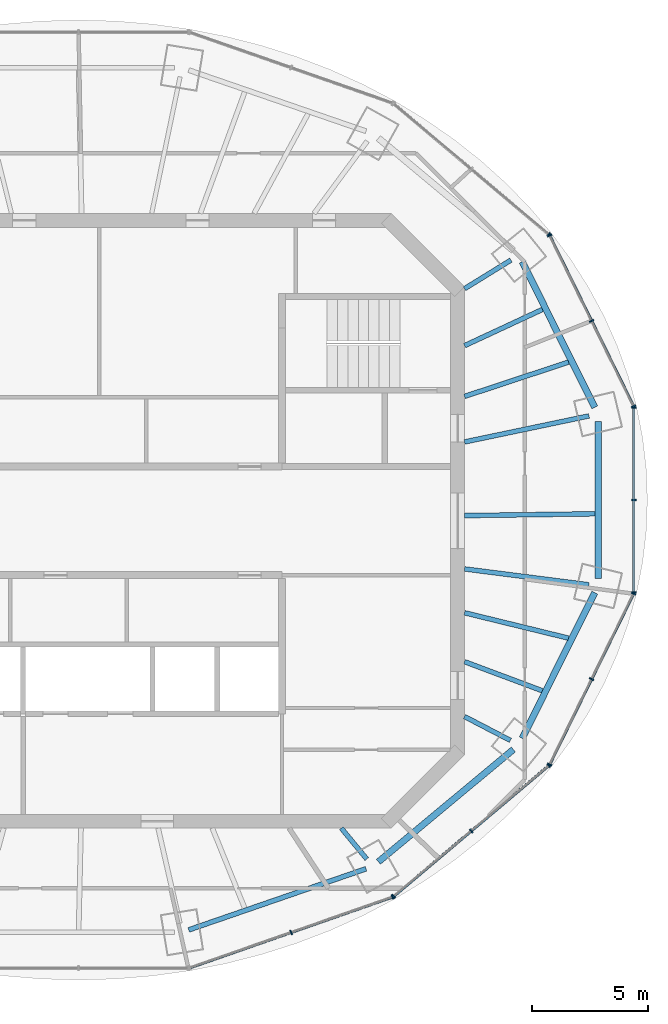
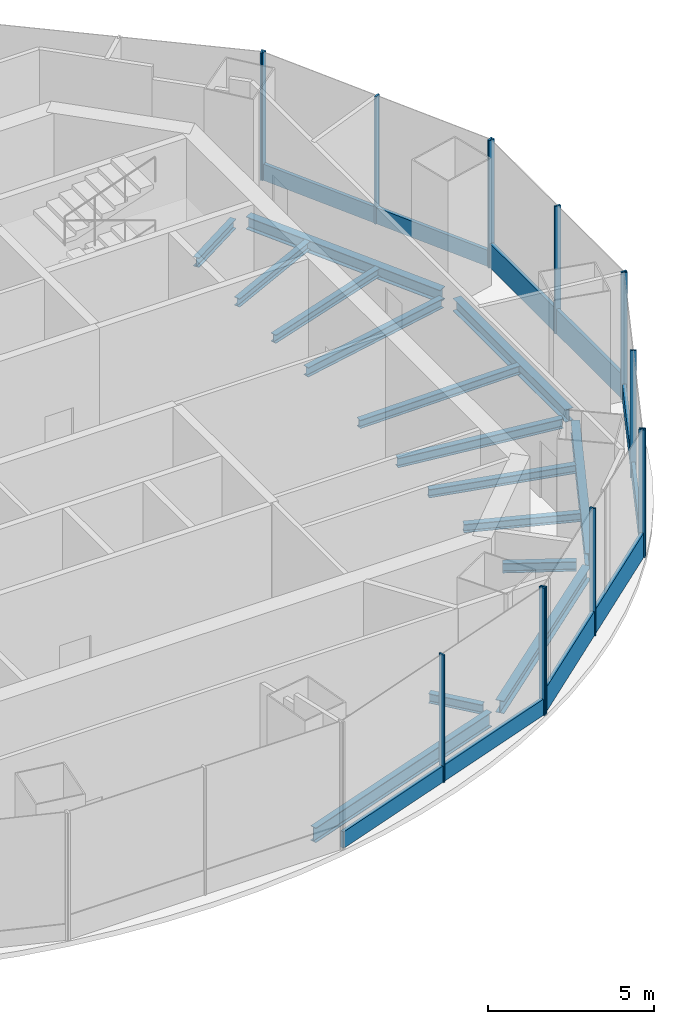
# One storey, part 4 of 11: 20 members, 15 beams, 6 elements without a shape of their own.
"""IFC4 building model written with IfcOpenShell, lengths in metres."""

from ifc_helpers import new_model, si_unit, direction, frame, origin, origin_2d, place, context, subcontext, project, spatial, rectangle, i_section, extrude, material, material_profile, profile_set, type_object, element, aggregate, save


model = new_model("IFC4")

# Units and contexts
model_context = context("Model", 3, precision=1e-05, world=origin(), true_north=direction((0.0, 1.0)))
body_context = subcontext(model_context, "Body", "Model", "MODEL_VIEW")
ifc_project = project(units=[si_unit("LENGTHUNIT", "METRE"), si_unit("AREAUNIT", "SQUARE_METRE"), si_unit("VOLUMEUNIT", "CUBIC_METRE"), si_unit("PLANEANGLEUNIT", "RADIAN"), si_unit("MASSUNIT", "GRAM", prefix="KILO")], contexts=[model_context])

# Site, building, storey
site_placement = place(None, origin())
site = spatial("IfcSite", under=ifc_project, at=site_placement, CompositionType="ELEMENT")
building_placement = place(site_placement, origin())
building = spatial("IfcBuilding", under=site, at=building_placement, Name="Marenthal Gate Tower", CompositionType="ELEMENT")
storey_placement = place(building_placement, frame((0.0, 0.0, 418.550048828125)))
storey = spatial("IfcBuildingStorey", under=building, at=storey_placement, Name="L94", CompositionType="ELEMENT", Elevation=418.550048828125)

# Curtain wall, members
ifc_material_1 = material(Name="Aluminium and glass", Category="aluminium")
curtain_wall_type_1 = type_object("IfcCurtainWallType", Name="Curtain wall crown clad", PredefinedType="NOTDEFINED", material=ifc_material_1)
curtain_wall_1_placement = place(storey_placement, origin())
curtain_wall_1 = element("IfcCurtainWall", 1, at=curtain_wall_1_placement, inside=storey, type_object=curtain_wall_type_1, Name="Curtain wall L94 bay 1", PredefinedType="NOTDEFINED")
ifc_material_2 = material(Name="Aluminium", Category="aluminium")
ifc_material_profile_1 = material_profile(ifc_material_2, rectangle(XDim=0.199951171875, YDim=0.06005859375, at=origin_2d()), Name="60x200 aluminium mullion")
ifc_profile_set_1 = profile_set([ifc_material_profile_1], Name="Aluminium")
member_type_1 = type_object("IfcMemberType", Name="Mullion 60x200 crown clad", PredefinedType="MULLION", material=ifc_profile_set_1)
member_1_placement = place(storey_placement, frame((23.611083984375, 4.955322265625, 0.0), z_axis=(0.0, 0.0, 1.0), x_axis=(-0.897506856877, -0.441000500973, 0.0)))
member_1 = element("IfcMember", 2, at=member_1_placement, type_object=member_type_1, Name="Mullion L94 bay 1.1", PredefinedType="MULLION", context=body_context, shape_type="SweptSolid", body=[
    extrude(rectangle(XDim=0.199951171875, YDim=0.06005859375, at=origin_2d()), origin(), (0.0, 0.0, 1.0), 4.699951171875),
])
member_2_placement = place(storey_placement, frame((21.795654296875, 8.650146484375, 0.0), z_axis=(0.0, 0.0, 1.0), x_axis=(-0.897506856877, -0.441000500973, 0.0)))
member_2 = element("IfcMember", 3, at=member_2_placement, type_object=member_type_1, Name="Mullion L94 bay 1.2", PredefinedType="MULLION", context=body_context, shape_type="SweptSolid", body=[
    extrude(rectangle(XDim=0.199951171875, YDim=0.06005859375, at=origin_2d()), origin(), (0.0, 0.0, 1.0), 4.699951171875),
])
member_3_placement = place(storey_placement, frame((19.97998046875, 12.344970703125, 0.0), z_axis=(0.0, 0.0, 1.0), x_axis=(-0.897506856877, -0.441000500973, 0.0)))
member_3 = element("IfcMember", 4, at=member_3_placement, type_object=member_type_1, Name="Mullion L94 bay 1.3", PredefinedType="MULLION", context=body_context, shape_type="SweptSolid", body=[
    extrude(rectangle(XDim=0.199951171875, YDim=0.06005859375, at=origin_2d()), origin(), (0.0, 0.0, 1.0), 4.699951171875),
])

curtain_wall_2_placement = place(storey_placement, origin())
curtain_wall_2 = element("IfcCurtainWall", 5, at=curtain_wall_2_placement, inside=storey, type_object=curtain_wall_type_1, Name="Curtain wall L94 bay 13", PredefinedType="NOTDEFINED")
member_4_placement = place(storey_placement, frame((8.793701171875, -17.810546875, 0.0), z_axis=(0.0, 0.0, 1.0), x_axis=(-0.329654999466, 0.944101467707, 0.0)))
member_4 = element("IfcMember", 6, at=member_4_placement, type_object=member_type_1, Name="Mullion L94 bay 13.2", PredefinedType="MULLION", context=body_context, shape_type="SweptSolid", body=[
    extrude(rectangle(XDim=0.199951171875, YDim=0.06005859375, at=origin_2d()), origin(), (0.0, 0.0, 1.0), 4.699951171875),
])
member_5_placement = place(storey_placement, frame((13.180419921875, -16.27880859375, 0.0), z_axis=(0.0, 0.0, 1.0), x_axis=(-0.329654999466, 0.944101467707, 0.0)))
member_5 = element("IfcMember", 7, at=member_5_placement, type_object=member_type_1, Name="Mullion L94 bay 13.3", PredefinedType="MULLION", context=body_context, shape_type="SweptSolid", body=[
    extrude(rectangle(XDim=0.199951171875, YDim=0.06005859375, at=origin_2d()), origin(), (0.0, 0.0, 1.0), 4.699951171875),
])

curtain_wall_3_placement = place(storey_placement, origin())
curtain_wall_3 = element("IfcCurtainWall", 8, at=curtain_wall_3_placement, inside=storey, type_object=curtain_wall_type_1, Name="Curtain wall L94 bay 15", PredefinedType="NOTDEFINED")
member_6_placement = place(storey_placement, frame((19.97998046875, -10.545166015625, 0.0), z_axis=(0.0, 0.0, 1.0), x_axis=(-0.897506856877, 0.441000500973, 0.0)))
member_6 = element("IfcMember", 9, at=member_6_placement, type_object=member_type_1, Name="Mullion L94 bay 15.1", PredefinedType="MULLION", context=body_context, shape_type="SweptSolid", body=[
    extrude(rectangle(XDim=0.199951171875, YDim=0.06005859375, at=origin_2d()), origin(), (0.0, 0.0, 1.0), 4.699951171875),
])
member_7_placement = place(storey_placement, frame((21.795654296875, -6.85009765625, 0.0), z_axis=(0.0, 0.0, 1.0), x_axis=(-0.897506856877, 0.441000500973, 0.0)))
member_7 = element("IfcMember", 10, at=member_7_placement, type_object=member_type_1, Name="Mullion L94 bay 15.2", PredefinedType="MULLION", context=body_context, shape_type="SweptSolid", body=[
    extrude(rectangle(XDim=0.199951171875, YDim=0.06005859375, at=origin_2d()), origin(), (0.0, 0.0, 1.0), 4.699951171875),
])
member_8_placement = place(storey_placement, frame((23.611083984375, -3.1552734375, 0.0), z_axis=(0.0, 0.0, 1.0), x_axis=(-0.897506856877, 0.441000500973, 0.0)))
member_8 = element("IfcMember", 11, at=member_8_placement, type_object=member_type_1, Name="Mullion L94 bay 15.3", PredefinedType="MULLION", context=body_context, shape_type="SweptSolid", body=[
    extrude(rectangle(XDim=0.199951171875, YDim=0.06005859375, at=origin_2d()), origin(), (0.0, 0.0, 1.0), 4.699951171875),
])

# Curtain wall, member
ifc_material_3 = material(Name="Aluminium and glass", Category="aluminium")
curtain_wall_type_2 = type_object("IfcCurtainWallType", Name="Curtain wall typical high", PredefinedType="NOTDEFINED", material=ifc_material_3)
curtain_wall_4_placement = place(storey_placement, origin())
curtain_wall_4 = element("IfcCurtainWall", 12, at=curtain_wall_4_placement, inside=storey, type_object=curtain_wall_type_2, Name="Curtain wall L94 bay 2", PredefinedType="NOTDEFINED")
ifc_material_4 = material(Name="Aluminium", Category="aluminium")
ifc_material_profile_2 = material_profile(ifc_material_4, rectangle(XDim=0.199951171875, YDim=0.06005859375, at=origin_2d()), Name="60x200 aluminium mullion")
ifc_profile_set_2 = profile_set([ifc_material_profile_2], Name="Aluminium")
member_type_2 = type_object("IfcMemberType", Name="Mullion 60x200 typical high", PredefinedType="MULLION", material=ifc_profile_set_2)
member_9_placement = place(storey_placement, frame((19.94384765625, 12.391357421875, 0.0), z_axis=(0.0, 0.0, 1.0), x_axis=(-0.644530734274, -0.76457840185, 0.0)))
member_9 = element("IfcMember", 13, at=member_9_placement, type_object=member_type_2, Name="Mullion L94 bay 2.1", PredefinedType="MULLION", context=body_context, shape_type="SweptSolid", body=[
    extrude(rectangle(XDim=0.199951171875, YDim=0.06005859375, at=origin_2d()), origin(), (0.0, 0.0, 1.0), 4.699951171875),
])
aggregate(curtain_wall_4, [member_9])

# Curtain wall, members
curtain_wall_5_placement = place(storey_placement, origin())
curtain_wall_5 = element("IfcCurtainWall", 14, at=curtain_wall_5_placement, inside=storey, type_object=curtain_wall_type_2, Name="Curtain wall L94 bay 14", PredefinedType="NOTDEFINED")
member_10_placement = place(storey_placement, frame((13.231689453125, -16.249755859375, 0.0), z_axis=(0.0, 0.0, 1.0), x_axis=(-0.644530734274, 0.76457840185, 0.0)))
member_10 = element("IfcMember", 15, at=member_10_placement, type_object=member_type_2, Name="Mullion L94 bay 14.1", PredefinedType="MULLION", context=body_context, shape_type="SweptSolid", body=[
    extrude(rectangle(XDim=0.199951171875, YDim=0.06005859375, at=origin_2d()), origin(), (0.0, 0.0, 1.0), 4.699951171875),
])
member_11_placement = place(storey_placement, frame((16.587646484375, -13.42041015625, 0.0), z_axis=(0.0, 0.0, 1.0), x_axis=(-0.644530734274, 0.76457840185, 0.0)))
member_11 = element("IfcMember", 16, at=member_11_placement, type_object=member_type_2, Name="Mullion L94 bay 14.2", PredefinedType="MULLION", context=body_context, shape_type="SweptSolid", body=[
    extrude(rectangle(XDim=0.199951171875, YDim=0.06005859375, at=origin_2d()), origin(), (0.0, 0.0, 1.0), 4.699951171875),
])
member_12_placement = place(storey_placement, frame((19.94384765625, -10.59130859375, 0.0), z_axis=(0.0, 0.0, 1.0), x_axis=(-0.644530734274, 0.76457840185, 0.0)))
member_12 = element("IfcMember", 17, at=member_12_placement, type_object=member_type_2, Name="Mullion L94 bay 14.3", PredefinedType="MULLION", context=body_context, shape_type="SweptSolid", body=[
    extrude(rectangle(XDim=0.199951171875, YDim=0.06005859375, at=origin_2d()), origin(), (0.0, 0.0, 1.0), 4.699951171875),
])

curtain_wall_6_placement = place(storey_placement, origin())
curtain_wall_6 = element("IfcCurtainWall", 18, at=curtain_wall_6_placement, inside=storey, type_object=curtain_wall_type_2, Name="Curtain wall L94 bay 16", PredefinedType="NOTDEFINED")
member_13_placement = place(storey_placement, frame((23.624267578125, -3.098388671875, 0.0), z_axis=(0.0, 0.0, 1.0), x_axis=(-1.0, 0.0, 0.0)))
member_13 = element("IfcMember", 19, at=member_13_placement, type_object=member_type_2, Name="Mullion L94 bay 16.1", PredefinedType="MULLION", context=body_context, shape_type="SweptSolid", body=[
    extrude(rectangle(XDim=0.199951171875, YDim=0.06005859375, at=origin_2d()), origin(), (0.0, 0.0, 1.0), 4.699951171875),
])
member_14_placement = place(storey_placement, frame((23.624267578125, 0.89990234375, 0.0), z_axis=(0.0, 0.0, 1.0), x_axis=(-1.0, 0.0, 0.0)))
member_14 = element("IfcMember", 20, at=member_14_placement, type_object=member_type_2, Name="Mullion L94 bay 16.2", PredefinedType="MULLION", context=body_context, shape_type="SweptSolid", body=[
    extrude(rectangle(XDim=0.199951171875, YDim=0.06005859375, at=origin_2d()), origin(), (0.0, 0.0, 1.0), 4.699951171875),
])
member_15_placement = place(storey_placement, frame((23.624267578125, 4.8984375, 0.0), z_axis=(0.0, 0.0, 1.0), x_axis=(-1.0, 0.0, 0.0)))
member_15 = element("IfcMember", 21, at=member_15_placement, type_object=member_type_2, Name="Mullion L94 bay 16.3", PredefinedType="MULLION", context=body_context, shape_type="SweptSolid", body=[
    extrude(rectangle(XDim=0.199951171875, YDim=0.06005859375, at=origin_2d()), origin(), (0.0, 0.0, 1.0), 4.699951171875),
])

# Member
ifc_material_5 = material(Name="Aluminium", Category="aluminium")
ifc_material_profile_3 = material_profile(ifc_material_5, rectangle(XDim=0.1201171875, YDim=0.60009765625, at=origin_2d()), Name="120x600 aluminium transom")
ifc_profile_set_3 = profile_set([ifc_material_profile_3], Name="Aluminium")
member_type_3 = type_object("IfcMemberType", Name="Transom 120x600 crown clad", PredefinedType="USERDEFINED", material=ifc_profile_set_3)
member_16_placement = place(storey_placement, frame((23.597900390625, 4.982177734375, 0.300048828125), z_axis=(-0.441014057182, 0.897500195748, 0.0), x_axis=(-0.897500195748, -0.441014057182, 0.0)))
member_16 = element("IfcMember", 22, at=member_16_placement, type_object=member_type_3, Name="Transom L94 bay 1", ObjectType="TRANSOM", PredefinedType="USERDEFINED", context=body_context, shape_type="SweptSolid", body=[
    extrude(rectangle(XDim=0.1201171875, YDim=0.60009765625, at=origin_2d()), origin(), (0.0, 0.0, 1.0), 8.173828125),
])

aggregate(curtain_wall_1, [member_1, member_2, member_3, member_16])

member_17_placement = place(storey_placement, frame((4.435302734375, -19.33251953125, 0.300048828125), z_axis=(0.944100501028, 0.329657767934, 0.0), x_axis=(-0.329657767934, 0.944100501028, 0.0)))
member_17 = element("IfcMember", 23, at=member_17_placement, type_object=member_type_3, Name="Transom L94 bay 13", ObjectType="TRANSOM", PredefinedType="USERDEFINED", context=body_context, shape_type="SweptSolid", body=[
    extrude(rectangle(XDim=0.1201171875, YDim=0.60009765625, at=origin_2d()), origin(), (0.0, 0.0, 1.0), 9.23291015625),
])

aggregate(curtain_wall_2, [member_4, member_5, member_17])

member_18_placement = place(storey_placement, frame((19.9931640625, -10.51806640625, 0.300048828125), z_axis=(0.44102587987, 0.897494386214, 0.0), x_axis=(-0.897494386214, 0.44102587987, 0.0)))
member_18 = element("IfcMember", 24, at=member_18_placement, type_object=member_type_3, Name="Transom L94 bay 15", ObjectType="TRANSOM", PredefinedType="USERDEFINED", context=body_context, shape_type="SweptSolid", body=[
    extrude(rectangle(XDim=0.1201171875, YDim=0.60009765625, at=origin_2d()), origin(), (0.0, 0.0, 1.0), 8.173583984375),
])

aggregate(curtain_wall_3, [member_6, member_7, member_8, member_18])

ifc_material_6 = material(Name="Aluminium", Category="aluminium")
ifc_material_profile_4 = material_profile(ifc_material_6, rectangle(XDim=0.1201171875, YDim=0.89990234375, at=origin_2d()), Name="120x900 aluminium transom")
ifc_profile_set_4 = profile_set([ifc_material_profile_4], Name="Aluminium")
member_type_4 = type_object("IfcMemberType", Name="Transom 120x900 typical high", PredefinedType="USERDEFINED", material=ifc_profile_set_4)
member_19_placement = place(storey_placement, frame((13.254638671875, -16.230224609375, 0.449951171875), z_axis=(0.76457562332, 0.644534030308, 0.0), x_axis=(-0.644534030308, 0.76457562332, 0.0)))
member_19 = element("IfcMember", 25, at=member_19_placement, type_object=member_type_4, Name="Transom L94 bay 14", ObjectType="TRANSOM", PredefinedType="USERDEFINED", context=body_context, shape_type="SweptSolid", body=[
    extrude(rectangle(XDim=0.1201171875, YDim=0.89990234375, at=origin_2d()), origin(), (0.0, 0.0, 1.0), 8.718994140625),
])

aggregate(curtain_wall_5, [member_10, member_11, member_12, member_19])

member_20_placement = place(storey_placement, frame((23.624267578125, -3.068359375, 0.449951171875), z_axis=(0.0, 1.0, 0.0), x_axis=(-1.0, 0.0, 0.0)))
member_20 = element("IfcMember", 26, at=member_20_placement, type_object=member_type_4, Name="Transom L94 bay 16", ObjectType="TRANSOM", PredefinedType="USERDEFINED", context=body_context, shape_type="SweptSolid", body=[
    extrude(rectangle(XDim=0.1201171875, YDim=0.89990234375, at=origin_2d()), origin(), (0.0, 0.0, 1.0), 7.936767578125),
])

aggregate(curtain_wall_6, [member_13, member_14, member_15, member_20])

# Beams
ifc_material_7 = material(Name="Steel S355", Category="steel")
ifc_material_profile_5 = material_profile(ifc_material_7, i_section(OverallWidth=0.205078125, OverallDepth=0.31005859375, WebThickness=0.009521484375, FlangeThickness=0.016357421875, FilletRadius=0.0126953125, at=origin_2d()), Name="W310X74")
ifc_profile_set_5 = profile_set([ifc_material_profile_5], Name="Steel S355")
beam_type_1 = type_object("IfcBeamType", Name="W310X74 beam", PredefinedType="BEAM", material=ifc_profile_set_5)
beam_1_placement = place(storey_placement, frame((20.80029296875, 6.867431640625, -0.35498046875), z_axis=(-0.949580960124, -0.313521929329, 0.0), x_axis=(0.313521929329, -0.949580960124, 0.0)))
element("IfcBeam", 27, at=beam_1_placement, inside=storey, type_object=beam_type_1, Name="BM-L94-17", PredefinedType="BEAM", context=body_context, shape_type="SweptSolid", body=[
    extrude(i_section(OverallWidth=0.205078125, OverallDepth=0.31005859375, WebThickness=0.009521484375, FlangeThickness=0.016357421875, FilletRadius=0.0126953125, at=origin_2d()), origin(), (0.0, 0.0, 1.0), 4.7392578125),
])
beam_2_placement = place(storey_placement, frame((19.6669921875, 9.14404296875, -0.35498046875), z_axis=(-0.906781913298, -0.421600002035, 0.0), x_axis=(0.421600002035, -0.906781913298, 0.0)))
element("IfcBeam", 28, at=beam_2_placement, inside=storey, type_object=beam_type_1, Name="BM-L94-18", PredefinedType="BEAM", context=body_context, shape_type="SweptSolid", body=[
    extrude(i_section(OverallWidth=0.205078125, OverallDepth=0.31005859375, WebThickness=0.009521484375, FlangeThickness=0.016357421875, FilletRadius=0.0126953125, at=origin_2d()), origin(), (0.0, 0.0, 1.0), 3.713134765625),
])
beam_3_placement = place(storey_placement, frame((19.662353515625, -7.353759765625, -0.35498046875), z_axis=(-0.936630683201, 0.350318374177, 0.0), x_axis=(-0.350318374177, -0.936630683201, 0.0)))
element("IfcBeam", 29, at=beam_3_placement, inside=storey, type_object=beam_type_1, Name="BM-L94-33", PredefinedType="BEAM", context=body_context, shape_type="SweptSolid", body=[
    extrude(i_section(OverallWidth=0.205078125, OverallDepth=0.31005859375, WebThickness=0.009521484375, FlangeThickness=0.016357421875, FilletRadius=0.0126953125, at=origin_2d()), origin(), (0.0, 0.0, 1.0), 3.58984375),
])
beam_4_placement = place(storey_placement, frame((20.795166015625, -5.07763671875, -0.35498046875), z_axis=(-0.971456313354, 0.237218530569, 0.0), x_axis=(-0.237218530569, -0.971456313354, 0.0)))
element("IfcBeam", 30, at=beam_4_placement, inside=storey, type_object=beam_type_1, Name="BM-L94-34", PredefinedType="BEAM", context=body_context, shape_type="SweptSolid", body=[
    extrude(i_section(OverallWidth=0.205078125, OverallDepth=0.31005859375, WebThickness=0.009521484375, FlangeThickness=0.016357421875, FilletRadius=0.0126953125, at=origin_2d()), origin(), (0.0, 0.0, 1.0), 4.627197265625),
])
beam_5_placement = place(storey_placement, frame((21.935302734375, 0.302734375, -0.35498046875), z_axis=(-0.999905111069, -0.013775661785, 0.0), x_axis=(0.013775661785, -0.999905111069, 0.0)))
element("IfcBeam", 31, at=beam_5_placement, inside=storey, type_object=beam_type_1, Name="BM-L94-35", PredefinedType="BEAM", context=body_context, shape_type="SweptSolid", body=[
    extrude(i_section(OverallWidth=0.205078125, OverallDepth=0.31005859375, WebThickness=0.009521484375, FlangeThickness=0.016357421875, FilletRadius=0.0126953125, at=origin_2d()), origin(), (0.0, 0.0, 1.0), 5.6357421875),
])
ifc_material_8 = material(Name="Steel S355", Category="steel")
ifc_material_profile_6 = material_profile(ifc_material_8, i_section(OverallWidth=0.205078125, OverallDepth=0.35302734375, WebThickness=0.009521484375, FlangeThickness=0.016845703125, FilletRadius=0.014892578125, at=origin_2d()), Name="W360X79")
ifc_profile_set_6 = profile_set([ifc_material_profile_6], Name="Steel S355")
beam_type_2 = type_object("IfcBeamType", Name="W360X79 beam", PredefinedType="BEAM", material=ifc_profile_set_6)
beam_6_placement = place(storey_placement, frame((21.682861328125, 4.5380859375, -0.37646484375), z_axis=(-0.97879683535, -0.204833481418, 0.0), x_axis=(0.204833481418, -0.97879683535, 0.0)))
element("IfcBeam", 32, at=beam_6_placement, inside=storey, type_object=beam_type_2, Name="BM-L94-01", PredefinedType="BEAM", context=body_context, shape_type="SweptSolid", body=[
    extrude(i_section(OverallWidth=0.205078125, OverallDepth=0.35302734375, WebThickness=0.009521484375, FlangeThickness=0.016845703125, FilletRadius=0.014892578125, at=origin_2d()), origin(), (0.0, 0.0, 1.0), 5.49951171875),
])
beam_7_placement = place(storey_placement, frame((18.306640625, 11.28076171875, -0.37646484375), z_axis=(-0.85132740108, -0.524634783607, 0.0), x_axis=(0.524634783607, -0.85132740108, 0.0)))
element("IfcBeam", 33, at=beam_7_placement, inside=storey, type_object=beam_type_2, Name="BM-L94-02", PredefinedType="BEAM", context=body_context, shape_type="SweptSolid", body=[
    extrude(i_section(OverallWidth=0.205078125, OverallDepth=0.35302734375, WebThickness=0.009521484375, FlangeThickness=0.016845703125, FilletRadius=0.014892578125, at=origin_2d()), origin(), (0.0, 0.0, 1.0), 2.35693359375),
])
beam_8_placement = place(storey_placement, frame((12.06689453125, -14.635009765625, -0.37646484375), z_axis=(-0.636206632441, 0.771518710621, 0.0), x_axis=(-0.771518710621, -0.636206632441, 0.0)))
element("IfcBeam", 34, at=beam_8_placement, inside=storey, type_object=beam_type_2, Name="BM-L94-14", PredefinedType="BEAM", context=body_context, shape_type="SweptSolid", body=[
    extrude(i_section(OverallWidth=0.205078125, OverallDepth=0.35302734375, WebThickness=0.009521484375, FlangeThickness=0.016845703125, FilletRadius=0.014892578125, at=origin_2d()), origin(), (0.0, 0.0, 1.0), 1.730224609375),
])
beam_9_placement = place(storey_placement, frame((18.282470703125, -9.501708984375, -0.37646484375), z_axis=(-0.887279410497, 0.46123231425, 0.0), x_axis=(-0.46123231425, -0.887279410497, 0.0)))
element("IfcBeam", 35, at=beam_9_placement, inside=storey, type_object=beam_type_2, Name="BM-L94-15", PredefinedType="BEAM", context=body_context, shape_type="SweptSolid", body=[
    extrude(i_section(OverallWidth=0.205078125, OverallDepth=0.35302734375, WebThickness=0.009521484375, FlangeThickness=0.016845703125, FilletRadius=0.014892578125, at=origin_2d()), origin(), (0.0, 0.0, 1.0), 2.234375),
])
beam_10_placement = place(storey_placement, frame((21.6728515625, -2.768798828125, -0.37646484375), z_axis=(-0.991940742227, 0.126702659445, 0.0), x_axis=(-0.126702659445, -0.991940742227, 0.0)))
element("IfcBeam", 36, at=beam_10_placement, inside=storey, type_object=beam_type_2, Name="BM-L94-16", PredefinedType="BEAM", context=body_context, shape_type="SweptSolid", body=[
    extrude(i_section(OverallWidth=0.205078125, OverallDepth=0.35302734375, WebThickness=0.009521484375, FlangeThickness=0.016845703125, FilletRadius=0.014892578125, at=origin_2d()), origin(), (0.0, 0.0, 1.0), 5.41650390625),
])
ifc_material_9 = material(Name="Steel S355", Category="steel")
ifc_material_profile_7 = material_profile(ifc_material_9, i_section(OverallWidth=0.279052734375, OverallDepth=0.4619140625, WebThickness=0.0107421875, FlangeThickness=0.017333984375, FilletRadius=0.010009765625, at=origin_2d()), Name="W460X113")
ifc_profile_set_7 = profile_set([ifc_material_profile_7], Name="Steel S355")
beam_type_3 = type_object("IfcBeamType", Name="W460X113 beam", PredefinedType="BEAM", material=ifc_profile_set_7)
beam_11_placement = place(storey_placement, frame((21.931640625, 4.90771484375, -0.43115234375), z_axis=(-0.44561730548, 0.895223557027, 0.0), x_axis=(-0.895223557027, -0.44561730548, 0.0)))
element("IfcBeam", 37, at=beam_11_placement, inside=storey, type_object=beam_type_3, Name="BM-L94-36", PredefinedType="BEAM", context=body_context, shape_type="SweptSolid", body=[
    extrude(i_section(OverallWidth=0.279052734375, OverallDepth=0.4619140625, WebThickness=0.0107421875, FlangeThickness=0.017333984375, FilletRadius=0.010009765625, at=origin_2d()), origin(), (0.0, 0.0, 1.0), 7.03857421875),
])
beam_12_placement = place(storey_placement, frame((12.572509765625, -14.75439453125, -0.43115234375), z_axis=(0.768647986151, 0.639672004535, 0.0), x_axis=(-0.639672004535, 0.768647986151, 0.0)))
element("IfcBeam", 38, at=beam_12_placement, inside=storey, type_object=beam_type_3, Name="BM-L94-49", PredefinedType="BEAM", context=body_context, shape_type="SweptSolid", body=[
    extrude(i_section(OverallWidth=0.279052734375, OverallDepth=0.4619140625, WebThickness=0.0107421875, FlangeThickness=0.017333984375, FilletRadius=0.010009765625, at=origin_2d()), origin(), (0.0, 0.0, 1.0), 7.594482421875),
])
beam_13_placement = place(storey_placement, frame((18.795166015625, -9.40869140625, -0.43115234375), z_axis=(0.44561730548, 0.895223557027, 0.0), x_axis=(-0.895223557027, 0.44561730548, 0.0)))
element("IfcBeam", 39, at=beam_13_placement, inside=storey, type_object=beam_type_3, Name="BM-L94-50", PredefinedType="BEAM", context=body_context, shape_type="SweptSolid", body=[
    extrude(i_section(OverallWidth=0.279052734375, OverallDepth=0.4619140625, WebThickness=0.0107421875, FlangeThickness=0.017333984375, FilletRadius=0.010009765625, at=origin_2d()), origin(), (0.0, 0.0, 1.0), 7.03857421875),
])
beam_14_placement = place(storey_placement, frame((22.07470703125, -2.497802734375, -0.43115234375), z_axis=(0.0, 1.0, 0.0), x_axis=(-1.0, 0.0, 0.0)))
element("IfcBeam", 40, at=beam_14_placement, inside=storey, type_object=beam_type_3, Name="BM-L94-51", PredefinedType="BEAM", context=body_context, shape_type="SweptSolid", body=[
    extrude(i_section(OverallWidth=0.279052734375, OverallDepth=0.4619140625, WebThickness=0.0107421875, FlangeThickness=0.017333984375, FilletRadius=0.010009765625, at=origin_2d()), origin(), (0.0, 0.0, 1.0), 6.79541015625),
])
ifc_material_10 = material(Name="Steel S355", Category="steel")
ifc_material_profile_8 = material_profile(ifc_material_10, i_section(OverallWidth=0.2119140625, OverallDepth=0.5439453125, WebThickness=0.01318359375, FlangeThickness=0.021240234375, FilletRadius=0.0126953125, at=origin_2d()), Name="W530X123")
ifc_profile_set_8 = profile_set([ifc_material_profile_8], Name="Steel S355")
beam_type_4 = type_object("IfcBeamType", Name="W530X123 beam", PredefinedType="BEAM", material=ifc_profile_set_8)
beam_15_placement = place(storey_placement, frame((4.364990234375, -17.701171875, -0.47216796875), z_axis=(0.945408151913, 0.325888671628, 0.0), x_axis=(-0.325888671628, 0.945408151913, 0.0)))
element("IfcBeam", 41, at=beam_15_placement, inside=storey, type_object=beam_type_4, Name="BM-L94-48", PredefinedType="BEAM", context=body_context, shape_type="SweptSolid", body=[
    extrude(i_section(OverallWidth=0.2119140625, OverallDepth=0.5439453125, WebThickness=0.01318359375, FlangeThickness=0.021240234375, FilletRadius=0.0126953125, at=origin_2d()), origin(), (0.0, 0.0, 1.0), 8.11328125),
])

save(model, "model.ifc")
